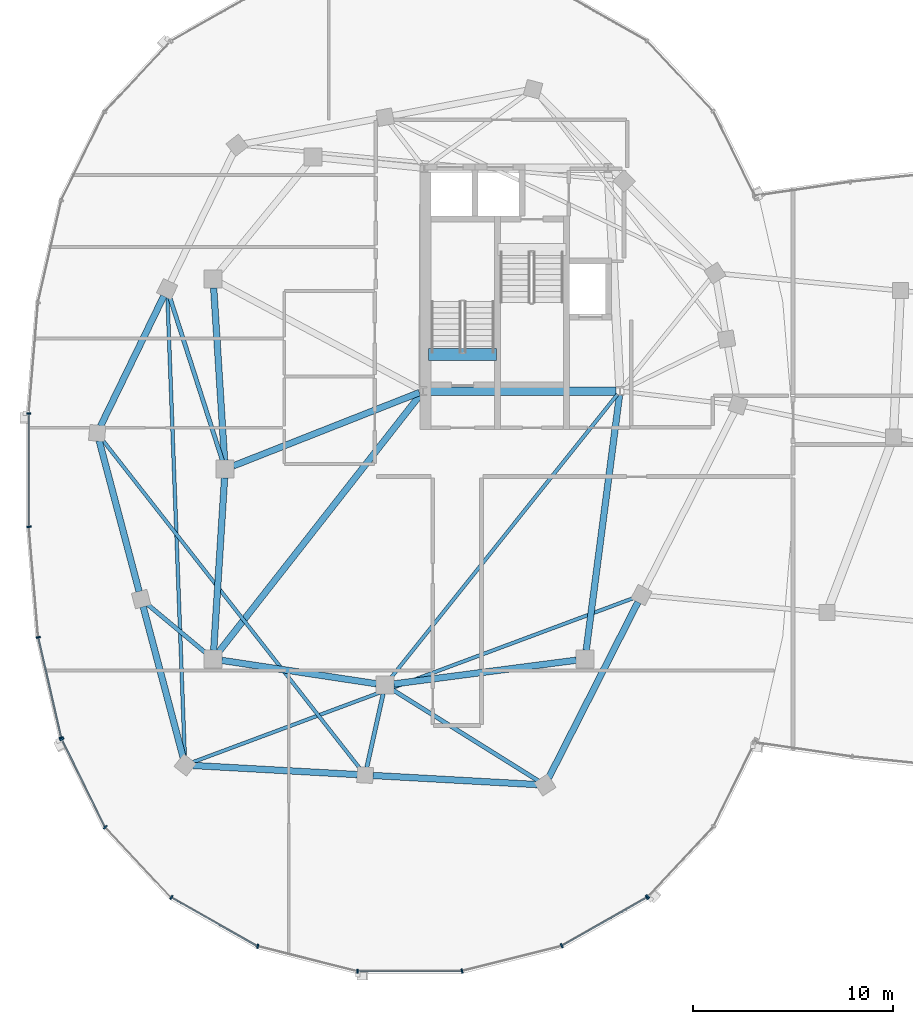
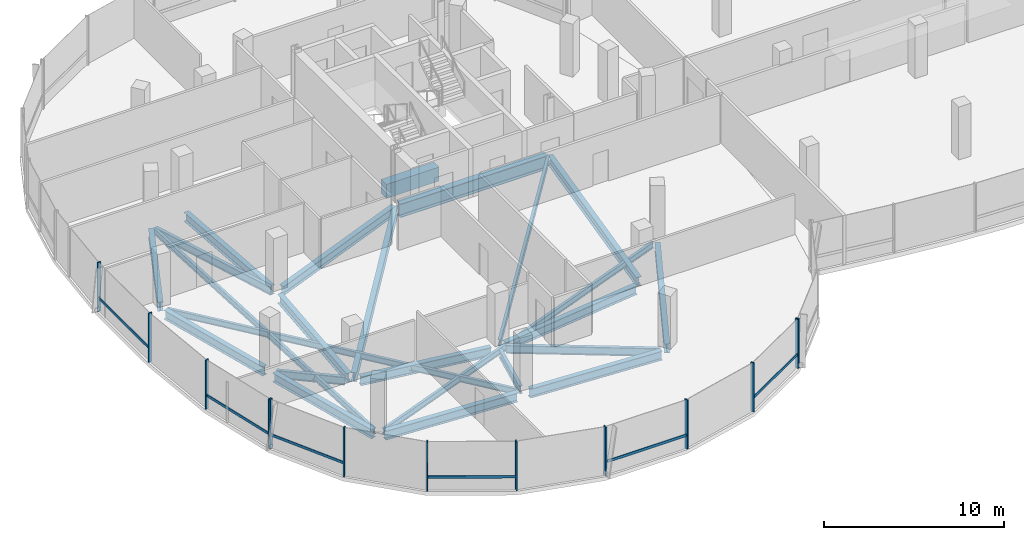
# One storey, part 3 of 25: 23 beams, 19 members, 3 elements without a shape of their own.
"""IFC4 building model written with IfcOpenShell, lengths in metres."""

from ifc_helpers import new_model, si_unit, direction, frame, origin, origin_2d, place, context, subcontext, project, spatial, rectangle, i_section, extrude, material, material_profile, profile_set, type_object, element, aggregate, save


model = new_model("IFC4")

# Units and contexts
model_context = context("Model", 3, precision=1e-05, world=origin(), true_north=direction((0.0, 1.0)))
body_context = subcontext(model_context, "Body", "Model", "MODEL_VIEW")
ifc_project = project(units=[si_unit("LENGTHUNIT", "METRE"), si_unit("AREAUNIT", "SQUARE_METRE"), si_unit("VOLUMEUNIT", "CUBIC_METRE"), si_unit("PLANEANGLEUNIT", "RADIAN"), si_unit("MASSUNIT", "GRAM", prefix="KILO"), si_unit("THERMODYNAMICTEMPERATUREUNIT", "KELVIN"), si_unit("POWERUNIT", "WATT")], contexts=[model_context])

# Site, building, storey
site_placement = place(None, origin())
site = spatial("IfcSite", under=ifc_project, at=site_placement, CompositionType="ELEMENT")
building_placement = place(site_placement, origin())
building = spatial("IfcBuilding", under=site, at=building_placement, Name="Cundina Bronze Exchange", CompositionType="ELEMENT")
storey_placement = place(building_placement, frame((0.0, 0.0, 254.0)))
storey = spatial("IfcBuildingStorey", under=building, at=storey_placement, Name="L67", CompositionType="ELEMENT", Elevation=254.0)

# Beams
ifc_material_1 = material(Name="Concrete C60/75", Category="concrete")
ifc_material_profile_1 = material_profile(ifc_material_1, rectangle(XDim=0.60009765625, YDim=0.949951171875, at=origin_2d()), Name="RC600X950", Category="concrete")
ifc_profile_set_1 = profile_set([ifc_material_profile_1], Name="Concrete C60/75")
beam_type_1 = type_object("IfcBeamType", Name="BM-COUP-RC950", PredefinedType="LINTEL", material=ifc_profile_set_1)
beam_1_placement = place(storey_placement, frame((-31.02001953125, 5.719970703125, -0.47509765625), z_axis=(1.0, 0.0, 0.0), x_axis=(0.0, 1.0, 0.0)))
element("IfcBeam", 1, at=beam_1_placement, inside=storey, type_object=beam_type_1, Name="L67 Stair W1 Landing Header Beam", PredefinedType="LINTEL", context=body_context, shape_type="SweptSolid", body=[
    extrude(rectangle(XDim=0.60009765625, YDim=0.949951171875, at=origin_2d()), origin(), (0.0, 0.0, 1.0), 3.39990234375),
])
ifc_material_2 = material(Name="Steel ASTM A992 Grade 50", Category="steel")
ifc_material_profile_2 = material_profile(ifc_material_2, i_section(OverallWidth=0.2119140625, OverallDepth=0.5439453125, WebThickness=0.01318359375, FlangeThickness=0.021240234375, FilletRadius=0.013916015625, at=origin_2d()), Name="W21X83", Category="steel")
ifc_profile_set_2 = profile_set([ifc_material_profile_2], Name="Steel ASTM A992 Grade 50")
beam_type_2 = type_object("IfcBeamType", Name="BM-FLR-W21A", PredefinedType="BEAM", material=ifc_profile_set_2)
beam_2_placement = place(storey_placement, frame((-41.334228515625, 0.4169921875, -0.531982421875), z_axis=(-0.306706012964, 0.951804297958, 0.0), x_axis=(-0.951804297958, -0.306706012964, 0.0)))
element("IfcBeam", 2, at=beam_2_placement, inside=storey, type_object=beam_type_2, Name="L67 Leg W Radial Floor Beam 07", PredefinedType="BEAM", context=body_context, shape_type="SweptSolid", body=[
    extrude(i_section(OverallWidth=0.2119140625, OverallDepth=0.5439453125, WebThickness=0.01318359375, FlangeThickness=0.021240234375, FilletRadius=0.013916015625, at=origin_2d()), origin(), (0.0, 0.0, 1.0), 8.629638671875),
])
beam_3_placement = place(storey_placement, frame((-42.136474609375, -9.219482421875, -0.531982421875), z_axis=(-0.768210910963, 0.640196841821, 0.0), x_axis=(-0.640196841821, -0.768210910963, 0.0)))
element("IfcBeam", 3, at=beam_3_placement, inside=storey, type_object=beam_type_2, Name="L67 Leg W Radial Floor Beam 09", PredefinedType="BEAM", context=body_context, shape_type="SweptSolid", body=[
    extrude(i_section(OverallWidth=0.2119140625, OverallDepth=0.5439453125, WebThickness=0.01318359375, FlangeThickness=0.021240234375, FilletRadius=0.013916015625, at=origin_2d()), origin(), (0.0, 0.0, 1.0), 3.860107421875),
])
beam_4_placement = place(storey_placement, frame((-33.294921875, -11.2275390625, -0.531982421875), z_axis=(-0.216930457819, -0.976187060184, 0.0), x_axis=(0.976187060184, -0.216930457819, 0.0)))
element("IfcBeam", 4, at=beam_4_placement, inside=storey, type_object=beam_type_2, Name="L67 Leg W Radial Floor Beam 11", PredefinedType="BEAM", context=body_context, shape_type="SweptSolid", body=[
    extrude(i_section(OverallWidth=0.2119140625, OverallDepth=0.5439453125, WebThickness=0.01318359375, FlangeThickness=0.021240234375, FilletRadius=0.013916015625, at=origin_2d()), origin(), (0.0, 0.0, 1.0), 3.78369140625),
])
beam_5_placement = place(storey_placement, frame((-32.82861328125, -11.031982421875, -0.531982421875), z_axis=(0.847983963552, -0.530021884038, 0.0), x_axis=(0.530021884038, 0.847983963552, 0.0)))
element("IfcBeam", 5, at=beam_5_placement, inside=storey, type_object=beam_type_2, Name="L67 Leg W Radial Floor Beam 12", PredefinedType="BEAM", context=body_context, shape_type="SweptSolid", body=[
    extrude(i_section(OverallWidth=0.2119140625, OverallDepth=0.5439453125, WebThickness=0.01318359375, FlangeThickness=0.021240234375, FilletRadius=0.013916015625, at=origin_2d()), origin(), (0.0, 0.0, 1.0), 8.608154296875),
])
ifc_material_profile_3 = material_profile(ifc_material_2, i_section(OverallWidth=0.178955078125, OverallDepth=0.409912109375, WebThickness=0.0087890625, FlangeThickness=0.014404296875, FilletRadius=0.010986328125, at=origin_2d()), Name="W16X45", Category="steel")
ifc_profile_set_3 = profile_set([ifc_material_profile_3], Name="Steel ASTM A992 Grade 50")
beam_type_3 = type_object("IfcBeamType", Name="BM-JST-W16", PredefinedType="JOIST", material=ifc_profile_set_3)
beam_6_placement = place(storey_placement, frame((-21.572509765625, 3.746826171875, -0.465087890625), z_axis=(-0.624364266872, -0.781133319129, 0.0), x_axis=(0.781133319129, -0.624364266872, 0.0)))
element("IfcBeam", 6, at=beam_6_placement, inside=storey, type_object=beam_type_3, Name="L67 W Interior Core-to-Ring Joist 2", PredefinedType="JOIST", context=body_context, shape_type="SweptSolid", body=[
    extrude(i_section(OverallWidth=0.178955078125, OverallDepth=0.409912109375, WebThickness=0.0087890625, FlangeThickness=0.014404296875, FilletRadius=0.010986328125, at=origin_2d()), origin(), (0.0, 0.0, 1.0), 18.184814453125),
])
beam_7_placement = place(storey_placement, frame((-44.085205078125, 8.6123046875, -0.465087890625), z_axis=(0.037784872152, -0.999285896746, 0.0), x_axis=(0.999285896746, 0.037784872152, 0.0)))
element("IfcBeam", 7, at=beam_7_placement, inside=storey, type_object=beam_type_3, Name="L67 Leg W Lobe Floor Joist 07-10", PredefinedType="JOIST", context=body_context, shape_type="SweptSolid", body=[
    extrude(i_section(OverallWidth=0.178955078125, OverallDepth=0.409912109375, WebThickness=0.0087890625, FlangeThickness=0.014404296875, FilletRadius=0.010986328125, at=origin_2d()), origin(), (0.0, 0.0, 1.0), 23.041015625),
])
beam_8_placement = place(storey_placement, frame((-47.360595703125, 1.49462890625, -0.465087890625), z_axis=(0.616804005008, -0.78711677622, 0.0), x_axis=(0.78711677622, 0.616804005008, 0.0)))
element("IfcBeam", 8, at=beam_8_placement, inside=storey, type_object=beam_type_3, Name="L67 Leg W Lobe Floor Joist 08-11", PredefinedType="JOIST", context=body_context, shape_type="SweptSolid", body=[
    extrude(i_section(OverallWidth=0.178955078125, OverallDepth=0.409912109375, WebThickness=0.0087890625, FlangeThickness=0.014404296875, FilletRadius=0.010986328125, at=origin_2d()), origin(), (0.0, 0.0, 1.0), 20.948974609375),
])
beam_9_placement = place(storey_placement, frame((-42.83642578125, -14.66455078125, -0.465087890625), z_axis=(0.937127932085, 0.348986015344, 0.0), x_axis=(-0.348986015344, 0.937127932085, 0.0)))
element("IfcBeam", 9, at=beam_9_placement, inside=storey, type_object=beam_type_3, Name="L67 Leg W Lobe Floor Joist 10-13", PredefinedType="JOIST", context=body_context, shape_type="SweptSolid", body=[
    extrude(i_section(OverallWidth=0.178955078125, OverallDepth=0.409912109375, WebThickness=0.0087890625, FlangeThickness=0.014404296875, FilletRadius=0.010986328125, at=origin_2d()), origin(), (0.0, 0.0, 1.0), 23.58056640625),
])
ifc_material_profile_4 = material_profile(ifc_material_2, i_section(OverallWidth=0.324951171875, OverallDepth=0.615966796875, WebThickness=0.013916015625, FlangeThickness=0.021484375, FilletRadius=0.01611328125, at=origin_2d()), Name="W24X117", Category="steel")
ifc_profile_set_4 = profile_set([ifc_material_profile_4], Name="Steel ASTM A992 Grade 50")
beam_type_4 = type_object("IfcBeamType", Name="BM-RING-W24", PredefinedType="USERDEFINED", material=ifc_profile_set_4)
for number, where, z_axis, x_axis, name in (
    (10, (-41.7724609375, 9.06298828125, -0.568115234375), (0.063046519736, -0.998010589297, 0.0), (0.998010589297, 0.063046519736, 0.0), "L67 W Inner Structural Ring Girder 03"),
    (11, (-41.2275390625, -0.43701171875, -0.568115234375), (-0.063046519736, -0.998010589297, 0.0), (0.998010589297, -0.063046519736, 0.0), "L67 W Inner Structural Ring Girder 04"),
):
    element("IfcBeam", number, at=place(storey_placement, frame(where, z_axis=z_axis, x_axis=x_axis)), inside=storey, type_object=beam_type_4, Name=name, ObjectType="GIRDER", PredefinedType="USERDEFINED", context=body_context, shape_type="SweptSolid", body=[
        extrude(i_section(OverallWidth=0.324951171875, OverallDepth=0.615966796875, WebThickness=0.013916015625, FlangeThickness=0.021484375, FilletRadius=0.01611328125, at=origin_2d()), origin(), (0.0, 0.0, 1.0), 8.64306640625),
    ])
beam_10_placement = place(storey_placement, frame((-41.366943359375, -9.5654296875, -0.568115234375), z_axis=(0.988764903598, -0.149478979839, 0.0), x_axis=(0.149478979839, 0.988764903598, 0.0)))
element("IfcBeam", 12, at=beam_10_placement, inside=storey, type_object=beam_type_4, Name="L67 W Inner Structural Ring Girder 05", ObjectType="GIRDER", PredefinedType="USERDEFINED", context=body_context, shape_type="SweptSolid", body=[
    extrude(i_section(OverallWidth=0.324951171875, OverallDepth=0.615966796875, WebThickness=0.013916015625, FlangeThickness=0.021484375, FilletRadius=0.01611328125, at=origin_2d()), origin(), (0.0, 0.0, 1.0), 7.82177734375),
])
beam_11_placement = place(storey_placement, frame((-32.765625, -10.743408203125, -0.568115234375), z_axis=(0.991656498582, 0.128908451316, 0.0), x_axis=(-0.128908451316, 0.991656498582, 0.0)))
element("IfcBeam", 13, at=beam_11_placement, inside=storey, type_object=beam_type_4, Name="L67 W Inner Structural Ring Girder 06", ObjectType="GIRDER", PredefinedType="USERDEFINED", context=body_context, shape_type="SweptSolid", body=[
    extrude(i_section(OverallWidth=0.324951171875, OverallDepth=0.615966796875, WebThickness=0.013916015625, FlangeThickness=0.021484375, FilletRadius=0.01611328125, at=origin_2d()), origin(), (0.0, 0.0, 1.0), 9.208251953125),
])
beam_12_placement = place(storey_placement, frame((-23.143310546875, -9.065673828125, -0.568115234375), z_axis=(0.129501251979, 0.991579258424, 0.0), x_axis=(-0.991579258424, 0.129501251979, 0.0)))
element("IfcBeam", 14, at=beam_12_placement, inside=storey, type_object=beam_type_4, Name="L67 W Inner Structural Ring Girder 07", ObjectType="GIRDER", PredefinedType="USERDEFINED", context=body_context, shape_type="SweptSolid", body=[
    extrude(i_section(OverallWidth=0.324951171875, OverallDepth=0.615966796875, WebThickness=0.013916015625, FlangeThickness=0.021484375, FilletRadius=0.01611328125, at=origin_2d()), origin(), (0.0, 0.0, 1.0), 12.8798828125),
])
beam_13_placement = place(storey_placement, frame((-31.482421875, 3.828125, -0.568115234375), z_axis=(-0.930404106569, -0.366535398673, 0.0), x_axis=(0.366535398673, -0.930404106569, 0.0)))
element("IfcBeam", 15, at=beam_13_placement, inside=storey, type_object=beam_type_4, Name="L67 W Core-to-Waist Tie Beam 1", ObjectType="GIRDER", PredefinedType="USERDEFINED", context=body_context, shape_type="SweptSolid", body=[
    extrude(i_section(OverallWidth=0.324951171875, OverallDepth=0.615966796875, WebThickness=0.013916015625, FlangeThickness=0.021484375, FilletRadius=0.01611328125, at=origin_2d()), origin(), (0.0, 0.0, 1.0), 10.00634765625),
])
beam_14_placement = place(storey_placement, frame((-31.4208984375, 3.74560546875, -0.568115234375), z_axis=(-0.616782900053, -0.787133314123, 0.0), x_axis=(0.787133314123, -0.616782900053, 0.0)))
element("IfcBeam", 16, at=beam_14_placement, inside=storey, type_object=beam_type_4, Name="L67 W Core-to-Waist Tie Beam 3", ObjectType="GIRDER", PredefinedType="USERDEFINED", context=body_context, shape_type="SweptSolid", body=[
    extrude(i_section(OverallWidth=0.324951171875, OverallDepth=0.615966796875, WebThickness=0.013916015625, FlangeThickness=0.021484375, FilletRadius=0.01611328125, at=origin_2d()), origin(), (0.0, 0.0, 1.0), 16.3896484375),
])
beam_15_placement = place(storey_placement, frame((-44.26953125, 8.65087890625, -0.568115234375), z_axis=(-0.437216986791, -0.899356050995, 0.0), x_axis=(0.899356050995, -0.437216986791, 0.0)))
element("IfcBeam", 17, at=beam_15_placement, inside=storey, type_object=beam_type_4, Name="L67 W Perimeter Ring Girder 07", ObjectType="GIRDER", PredefinedType="USERDEFINED", context=body_context, shape_type="SweptSolid", body=[
    extrude(i_section(OverallWidth=0.324951171875, OverallDepth=0.615966796875, WebThickness=0.013916015625, FlangeThickness=0.021484375, FilletRadius=0.01611328125, at=origin_2d()), origin(), (0.0, 0.0, 1.0), 7.2294921875),
])
for number, where, z_axis, x_axis, name in (
    (18, (-47.50048828125, 1.425048828125, -0.568115234375), (0.256183793797, -0.966628089699, 0.0), (0.966628089699, 0.256183793797, 0.0), "L67 W Perimeter Ring Girder 08"),
    (19, (-45.300537109375, -6.875, -0.568115234375), (0.256212999207, -0.966620348967, 0.0), (0.966620348967, 0.256212999207, 0.0), "L67 W Perimeter Ring Girder 09"),
):
    element("IfcBeam", number, at=place(storey_placement, frame(where, z_axis=z_axis, x_axis=x_axis)), inside=storey, type_object=beam_type_4, Name=name, ObjectType="GIRDER", PredefinedType="USERDEFINED", context=body_context, shape_type="SweptSolid", body=[
        extrude(i_section(OverallWidth=0.324951171875, OverallDepth=0.615966796875, WebThickness=0.013916015625, FlangeThickness=0.021484375, FilletRadius=0.01611328125, at=origin_2d()), origin(), (0.0, 0.0, 1.0), 7.810791015625),
    ])
for number, where, z_axis, x_axis, name in (
    (20, (-42.8125, -14.821533203125, -0.568115234375), (0.998459806018, -0.055479868117, 0.0), (0.055479868117, 0.998459806018, 0.0), "L67 W Perimeter Ring Girder 10"),
    (21, (-33.8125, -15.321533203125, -0.568115234375), (0.998459806018, -0.055479868117, 0.0), (0.055479868117, 0.998459806018, 0.0), "L67 W Perimeter Ring Girder 11"),
):
    element("IfcBeam", number, at=place(storey_placement, frame(where, z_axis=z_axis, x_axis=x_axis)), inside=storey, type_object=beam_type_4, Name=name, ObjectType="GIRDER", PredefinedType="USERDEFINED", context=body_context, shape_type="SweptSolid", body=[
        extrude(i_section(OverallWidth=0.324951171875, OverallDepth=0.615966796875, WebThickness=0.013916015625, FlangeThickness=0.021484375, FilletRadius=0.01611328125, at=origin_2d()), origin(), (0.0, 0.0, 1.0), 8.23779296875),
    ])
beam_16_placement = place(storey_placement, frame((-25.0244140625, -15.4541015625, -0.568115234375), z_axis=(0.452839263805, 0.891592171991, 0.0), x_axis=(-0.891592171991, 0.452839263805, 0.0)))
element("IfcBeam", 22, at=beam_16_placement, inside=storey, type_object=beam_type_4, Name="L67 W Perimeter Ring Girder 12", ObjectType="GIRDER", PredefinedType="USERDEFINED", context=body_context, shape_type="SweptSolid", body=[
    extrude(i_section(OverallWidth=0.324951171875, OverallDepth=0.615966796875, WebThickness=0.013916015625, FlangeThickness=0.021484375, FilletRadius=0.01611328125, at=origin_2d()), origin(), (0.0, 0.0, 1.0), 9.879150390625),
])
ifc_material_profile_5 = material_profile(ifc_material_2, i_section(OverallWidth=0.41796875, OverallDepth=0.927001953125, WebThickness=0.019287109375, FlangeThickness=0.031982421875, FilletRadius=0.02392578125, at=origin_2d()), Name="W36X231", Category="steel")
ifc_profile_set_5 = profile_set([ifc_material_profile_5], Name="Steel ASTM A992 Grade 50")
beam_type_5 = type_object("IfcBeamType", Name="BM-WRN-W36B", PredefinedType="USERDEFINED", material=ifc_profile_set_5)
beam_17_placement = place(storey_placement, frame((-31.10400390625, 3.89990234375, -0.723388671875), z_axis=(1.0, 0.0, 0.0), x_axis=(0.0, 1.0, 0.0)))
element("IfcBeam", 23, at=beam_17_placement, inside=storey, type_object=beam_type_5, Name="L67 W Core Perimeter Tie Girder 1", ObjectType="GIRDER", PredefinedType="USERDEFINED", context=body_context, shape_type="SweptSolid", body=[
    extrude(i_section(OverallWidth=0.41796875, OverallDepth=0.927001953125, WebThickness=0.019287109375, FlangeThickness=0.031982421875, FilletRadius=0.02392578125, at=origin_2d()), origin(), (0.0, 0.0, 1.0), 9.4580078125),
])

# Curtain wall, members
ifc_material_3 = material(Name="Anodised Bronze Aluminium 6063-T6", Category="aluminium")
curtain_wall_type = type_object("IfcCurtainWallType", Name="CWS-SKG-BRG", PredefinedType="NOTDEFINED", material=ifc_material_3)
curtain_wall_1_placement = place(storey_placement, origin())
curtain_wall_1 = element("IfcCurtainWall", 24, at=curtain_wall_1_placement, inside=storey, type_object=curtain_wall_type, Name="L67 CW-06 Curtain Wall Run CWR-L67-W2", PredefinedType="NOTDEFINED")
ifc_material_profile_6 = material_profile(ifc_material_3, rectangle(XDim=0.074951171875, YDim=0.219970703125, at=origin_2d()), Name="AL75X220", Category="aluminium")
ifc_profile_set_6 = profile_set([ifc_material_profile_6], Name="Anodised Bronze Aluminium 6063-T6")
member_type_1 = type_object("IfcMemberType", Name="CWM-MUL-220", PredefinedType="MULLION", material=ifc_profile_set_6)
member_1_placement = place(storey_placement, frame((-51.01904296875, 2.79150390625, 0.0), z_axis=(0.0, 0.0, 1.0), x_axis=(0.0, -1.0, 0.0)))
member_1 = element("IfcMember", 25, at=member_1_placement, type_object=member_type_1, Name="CW-06 Mullion 5", PredefinedType="MULLION", context=body_context, shape_type="SweptSolid", body=[
    extrude(rectangle(XDim=0.074951171875, YDim=0.219970703125, at=origin_2d()), origin(), (0.0, 0.0, 1.0), 3.340087890625),
])
member_2_placement = place(storey_placement, frame((-51.01513671875, -2.885498046875, 0.0), z_axis=(0.0, 0.0, 1.0), x_axis=(0.083677843332, -0.99649285925, 0.0)))
member_2 = element("IfcMember", 26, at=member_2_placement, type_object=member_type_1, Name="CW-06 Mullion 6", PredefinedType="MULLION", context=body_context, shape_type="SweptSolid", body=[
    extrude(rectangle(XDim=0.074951171875, YDim=0.219970703125, at=origin_2d()), origin(), (0.0, 0.0, 1.0), 3.340087890625),
])
member_3_placement = place(storey_placement, frame((-50.544677734375, -8.4111328125, 0.0), z_axis=(0.0, 0.0, 1.0), x_axis=(0.223250116011, -0.974761194191, 0.0)))
member_3 = element("IfcMember", 27, at=member_3_placement, type_object=member_type_1, Name="CW-06 Mullion 7", PredefinedType="MULLION", context=body_context, shape_type="SweptSolid", body=[
    extrude(rectangle(XDim=0.074951171875, YDim=0.219970703125, at=origin_2d()), origin(), (0.0, 0.0, 1.0), 3.340087890625),
])
member_4_placement = place(storey_placement, frame((-49.39404296875, -13.433837890625, 0.0), z_axis=(0.0, 0.0, 1.0), x_axis=(0.223250116011, -0.974761194191, 0.0)))
member_4 = element("IfcMember", 28, at=member_4_placement, type_object=member_type_1, Name="CW-06 End Mullion", PredefinedType="MULLION", context=body_context, shape_type="SweptSolid", body=[
    extrude(rectangle(XDim=0.074951171875, YDim=0.219970703125, at=origin_2d()), origin(), (0.0, 0.0, 1.0), 3.340087890625),
])

curtain_wall_2_placement = place(storey_placement, origin())
curtain_wall_2 = element("IfcCurtainWall", 29, at=curtain_wall_2_placement, inside=storey, type_object=curtain_wall_type, Name="L67 CW-06 Curtain Wall Run CWR-L67-W3", PredefinedType="NOTDEFINED")
member_5_placement = place(storey_placement, frame((-49.369140625, -13.50390625, 0.0), z_axis=(0.0, 0.0, 1.0), x_axis=(0.440566004113, -0.897720221461, 0.0)))
member_5 = element("IfcMember", 30, at=member_5_placement, type_object=member_type_1, Name="CW-06 Mullion 1", PredefinedType="MULLION", context=body_context, shape_type="SweptSolid", body=[
    extrude(rectangle(XDim=0.074951171875, YDim=0.219970703125, at=origin_2d()), origin(), (0.0, 0.0, 1.0), 3.340087890625),
])
member_6_placement = place(storey_placement, frame((-47.1962890625, -17.910400390625, 0.0), z_axis=(0.0, 0.0, 1.0), x_axis=(0.684292606175, -0.729207535023, 0.0)))
member_6 = element("IfcMember", 31, at=member_6_placement, type_object=member_type_1, Name="CW-06 Mullion 2", PredefinedType="MULLION", context=body_context, shape_type="SweptSolid", body=[
    extrude(rectangle(XDim=0.074951171875, YDim=0.219970703125, at=origin_2d()), origin(), (0.0, 0.0, 1.0), 3.340087890625),
])
member_7_placement = place(storey_placement, frame((-43.88916015625, -21.419921875, 0.0), z_axis=(0.0, 0.0, 1.0), x_axis=(0.86958112538, -0.493790103568, 0.0)))
member_7 = element("IfcMember", 32, at=member_7_placement, type_object=member_type_1, Name="CW-06 Mullion 3", PredefinedType="MULLION", context=body_context, shape_type="SweptSolid", body=[
    extrude(rectangle(XDim=0.074951171875, YDim=0.219970703125, at=origin_2d()), origin(), (0.0, 0.0, 1.0), 3.340087890625),
])
member_8_placement = place(storey_placement, frame((-39.5703125, -23.86181640625, 0.0), z_axis=(0.0, 0.0, 1.0), x_axis=(0.969744325821, -0.244122802168, 0.0)))
member_8 = element("IfcMember", 33, at=member_8_placement, type_object=member_type_1, Name="CW-06 Mullion 4", PredefinedType="MULLION", context=body_context, shape_type="SweptSolid", body=[
    extrude(rectangle(XDim=0.074951171875, YDim=0.219970703125, at=origin_2d()), origin(), (0.0, 0.0, 1.0), 3.340087890625),
])
member_9_placement = place(storey_placement, frame((-34.576416015625, -25.110107421875, 0.0), z_axis=(0.0, 0.0, 1.0), x_axis=(1.0, 0.0, 0.0)))
member_9 = element("IfcMember", 34, at=member_9_placement, type_object=member_type_1, Name="CW-06 Mullion 5", PredefinedType="MULLION", context=body_context, shape_type="SweptSolid", body=[
    extrude(rectangle(XDim=0.074951171875, YDim=0.219970703125, at=origin_2d()), origin(), (0.0, 0.0, 1.0), 3.340087890625),
])
member_10_placement = place(storey_placement, frame((-29.351806640625, -25.10107421875, 0.0), z_axis=(0.0, 0.0, 1.0), x_axis=(0.969744325821, 0.244122802168, 0.0)))
member_10 = element("IfcMember", 35, at=member_10_placement, type_object=member_type_1, Name="CW-06 Mullion 6", PredefinedType="MULLION", context=body_context, shape_type="SweptSolid", body=[
    extrude(rectangle(XDim=0.074951171875, YDim=0.219970703125, at=origin_2d()), origin(), (0.0, 0.0, 1.0), 3.340087890625),
])
member_11_placement = place(storey_placement, frame((-24.365478515625, -23.8359375, 0.0), z_axis=(0.0, 0.0, 1.0), x_axis=(0.86958112538, 0.493790103568, 0.0)))
member_11 = element("IfcMember", 36, at=member_11_placement, type_object=member_type_1, Name="CW-06 Mullion 7", PredefinedType="MULLION", context=body_context, shape_type="SweptSolid", body=[
    extrude(rectangle(XDim=0.074951171875, YDim=0.219970703125, at=origin_2d()), origin(), (0.0, 0.0, 1.0), 3.340087890625),
])
member_12_placement = place(storey_placement, frame((-20.11083984375, -21.419921875, 0.0), z_axis=(0.0, 0.0, 1.0), x_axis=(0.86958112538, 0.493790103568, 0.0)))
member_12 = element("IfcMember", 37, at=member_12_placement, type_object=member_type_1, Name="CW-06 End Mullion", PredefinedType="MULLION", context=body_context, shape_type="SweptSolid", body=[
    extrude(rectangle(XDim=0.074951171875, YDim=0.219970703125, at=origin_2d()), origin(), (0.0, 0.0, 1.0), 3.340087890625),
])

# Curtain wall, member
curtain_wall_3_placement = place(storey_placement, origin())
curtain_wall_3 = element("IfcCurtainWall", 38, at=curtain_wall_3_placement, inside=storey, type_object=curtain_wall_type, Name="L67 CW-06 Curtain Wall Run CWR-L67-W4", PredefinedType="NOTDEFINED")
member_13_placement = place(storey_placement, frame((-20.059814453125, -21.3798828125, 0.0), z_axis=(0.0, 0.0, 1.0), x_axis=(0.684292606175, 0.729207535023, 0.0)))
member_13 = element("IfcMember", 39, at=member_13_placement, type_object=member_type_1, Name="CW-06 Mullion 1", PredefinedType="MULLION", context=body_context, shape_type="SweptSolid", body=[
    extrude(rectangle(XDim=0.074951171875, YDim=0.219970703125, at=origin_2d()), origin(), (0.0, 0.0, 1.0), 3.340087890625),
])
aggregate(curtain_wall_3, [member_13])

# Member
ifc_material_profile_7 = material_profile(ifc_material_3, rectangle(XDim=0.070068359375, YDim=0.179931640625, at=origin_2d()), Name="AL70X180", Category="aluminium")
ifc_profile_set_7 = profile_set([ifc_material_profile_7], Name="Anodised Bronze Aluminium 6063-T6")
member_type_2 = type_object("IfcMemberType", Name="CWM-TRN-180", PredefinedType="USERDEFINED", material=ifc_profile_set_7)
member_14_placement = place(storey_placement, frame((-51.01904296875, 2.750244140625, 0.919921875), z_axis=(0.0, -1.0, 0.0), x_axis=(1.0, 0.0, 0.0)))
member_14 = element("IfcMember", 40, at=member_14_placement, type_object=member_type_2, Name="CW-06 Spandrel Transom 5", ObjectType="TRANSOM", PredefinedType="USERDEFINED", context=body_context, shape_type="SweptSolid", body=[
    extrude(rectangle(XDim=0.070068359375, YDim=0.179931640625, at=origin_2d()), origin(), (0.0, 0.0, 1.0), 5.5830078125),
])

member_15_placement = place(storey_placement, frame((-50.535400390625, -8.451416015625, 0.919921875), z_axis=(0.223283702293, -0.974753501297, 0.0), x_axis=(0.974753501297, 0.223283702293, 0.0)))
member_15 = element("IfcMember", 41, at=member_15_placement, type_object=member_type_2, Name="CW-06 Spandrel Transom 7", ObjectType="TRANSOM", PredefinedType="USERDEFINED", context=body_context, shape_type="SweptSolid", body=[
    extrude(rectangle(XDim=0.070068359375, YDim=0.179931640625, at=origin_2d()), origin(), (0.0, 0.0, 1.0), 5.070068359375),
])

aggregate(curtain_wall_1, [member_1, member_14, member_2, member_3, member_4, member_15])

member_16_placement = place(storey_placement, frame((-49.35107421875, -13.541015625, 0.919921875), z_axis=(0.440554408939, -0.897725911826, 0.0), x_axis=(0.897725911826, 0.440554408939, 0.0)))
member_16 = element("IfcMember", 42, at=member_16_placement, type_object=member_type_2, Name="CW-06 Spandrel Transom 1", ObjectType="TRANSOM", PredefinedType="USERDEFINED", context=body_context, shape_type="SweptSolid", body=[
    extrude(rectangle(XDim=0.070068359375, YDim=0.179931640625, at=origin_2d()), origin(), (0.0, 0.0, 1.0), 4.848388671875),
])

member_17_placement = place(storey_placement, frame((-43.853271484375, -21.440185546875, 0.919921875), z_axis=(0.869557366176, -0.493831941989, 0.0), x_axis=(0.493831941989, 0.869557366176, 0.0)))
member_17 = element("IfcMember", 43, at=member_17_placement, type_object=member_type_2, Name="CW-06 Spandrel Transom 3", ObjectType="TRANSOM", PredefinedType="USERDEFINED", context=body_context, shape_type="SweptSolid", body=[
    extrude(rectangle(XDim=0.070068359375, YDim=0.179931640625, at=origin_2d()), origin(), (0.0, 0.0, 1.0), 4.892822265625),
])

member_18_placement = place(storey_placement, frame((-34.53515625, -25.110107421875, 0.919921875), z_axis=(1.0, 0.0, 0.0), x_axis=(0.0, 1.0, 0.0)))
member_18 = element("IfcMember", 44, at=member_18_placement, type_object=member_type_2, Name="CW-06 Spandrel Transom 5", ObjectType="TRANSOM", PredefinedType="USERDEFINED", context=body_context, shape_type="SweptSolid", body=[
    extrude(rectangle(XDim=0.070068359375, YDim=0.179931640625, at=origin_2d()), origin(), (0.0, 0.0, 1.0), 5.153076171875),
])

member_19_placement = place(storey_placement, frame((-24.32958984375, -23.815673828125, 0.919921875), z_axis=(0.869558105282, 0.493830640542, 0.0), x_axis=(-0.493830640542, 0.869558105282, 0.0)))
member_19 = element("IfcMember", 45, at=member_19_placement, type_object=member_type_2, Name="CW-06 Spandrel Transom 7", ObjectType="TRANSOM", PredefinedType="USERDEFINED", context=body_context, shape_type="SweptSolid", body=[
    extrude(rectangle(XDim=0.070068359375, YDim=0.179931640625, at=origin_2d()), origin(), (0.0, 0.0, 1.0), 4.810302734375),
])

aggregate(curtain_wall_2, [member_5, member_16, member_6, member_7, member_17, member_8, member_9, member_18, member_10, member_11, member_12, member_19])

save(model, "model.ifc")
